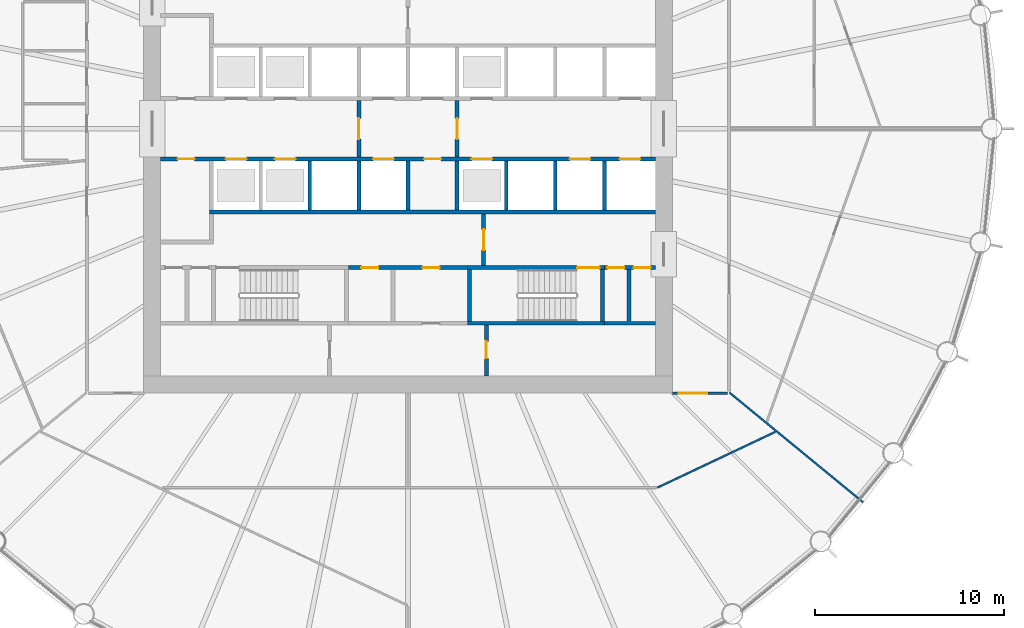
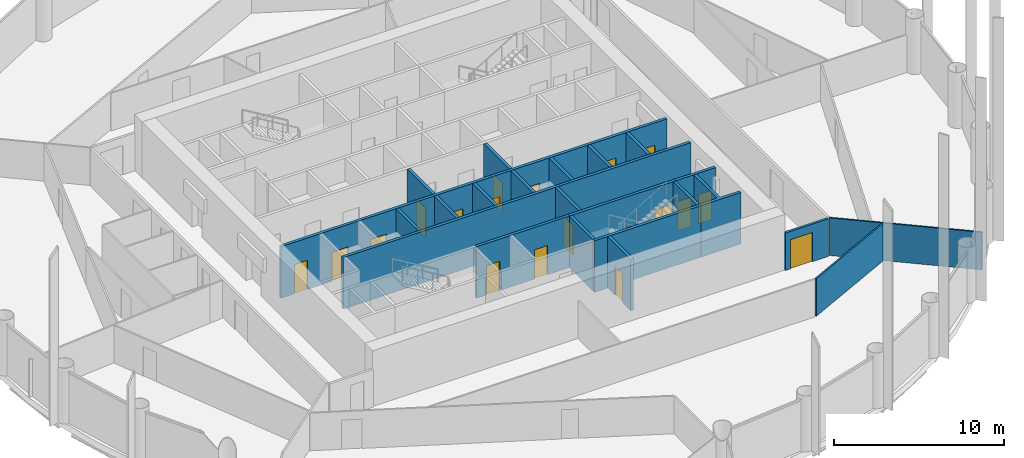
# One storey, part 5 of 10: 23 walls, 18 doors, 18 openings.
"""IFC4 building model written with IfcOpenShell, lengths in metres."""

from ifc_helpers import new_model, si_unit, direction, frame, frame_2d, origin, place, context, subcontext, project, spatial, polyline, rectangle, outline, extrude, material, layer, layer_set, type_object, element, fill, save


model = new_model("IFC4")

# Units and contexts
model_context = context("Model", 3, precision=1e-05, world=origin(), true_north=direction((0.0, 1.0)))
body_context = subcontext(model_context, "Body", "Model", "MODEL_VIEW")
ifc_project = project(units=[si_unit("LENGTHUNIT", "METRE"), si_unit("AREAUNIT", "SQUARE_METRE"), si_unit("VOLUMEUNIT", "CUBIC_METRE"), si_unit("PLANEANGLEUNIT", "RADIAN"), si_unit("MASSUNIT", "GRAM", prefix="KILO")], contexts=[model_context])

# Site, building, storey
site_placement = place(None, origin())
site = spatial("IfcSite", under=ifc_project, at=site_placement, CompositionType="ELEMENT")
building_placement = place(site_placement, origin())
building = spatial("IfcBuilding", under=site, at=building_placement, Name="Corvane Civic Tower", CompositionType="ELEMENT")
storey_placement = place(building_placement, frame((0.0, 0.0, 144.0)))
storey = spatial("IfcBuildingStorey", under=building, at=storey_placement, Name="L33", CompositionType="ELEMENT", Elevation=144.0)

# Wall, openings, doors
ifc_material_1 = material(Name="Concrete C30/37", Category="concrete")
ifc_layer_1 = layer(ifc_material_1, 0.199951171875)
ifc_layer_set_1 = layer_set([ifc_layer_1], Name="Concrete C30/37")
wall_type_1 = type_object("IfcWallType", Name="CR-WALL-200", PredefinedType="PARTITIONING", material=ifc_layer_set_1)
wall_1_placement = place(storey_placement, frame((-3.14990234375, -7.35009765625, 0.0), z_axis=(0.0, 0.0, 1.0), x_axis=(1.0, 0.0, 0.0)))
wall_1 = element("IfcWall", 1, at=wall_1_placement, inside=storey, type_object=wall_type_1, Name="L33 core partition wall", PredefinedType="PARTITIONING", context=body_context, shape_type="SweptSolid", body=[
    extrude(rectangle(XDim=6.2998046875, YDim=0.199951171875, at=frame_2d((3.14990234375, 0.0))), origin(), (0.0, 0.0, 1.0), 3.699951171875),
])
opening_1_placement = place(wall_1_placement, frame((0.675048828125, 0.0, 0.0)))
opening_1 = element("IfcOpeningElement", 2, at=opening_1_placement, cuts=wall_1, Name="Opening L33.C06", PredefinedType="OPENING", context=body_context, shape_type="SweptSolid", body=[
    extrude(rectangle(XDim=0.89990234375, YDim=2.10009765625, at=frame_2d((0.449951171875, 1.050048828125))), frame((0.0, 0.10986328125, 0.0), z_axis=(0.0, -1.0, 0.0), x_axis=(1.0, 0.0, 0.0)), (0.0, 0.0, 1.0), 0.219970703125),
])
opening_2_placement = place(wall_1_placement, frame((3.925048828125, 0.0, 0.0)))
opening_2 = element("IfcOpeningElement", 3, at=opening_2_placement, cuts=wall_1, Name="Opening L33.C07", PredefinedType="OPENING", context=body_context, shape_type="SweptSolid", body=[
    extrude(rectangle(XDim=0.89990234375, YDim=2.10009765625, at=frame_2d((0.449951171875, 1.050048828125))), frame((0.0, 0.10986328125, 0.0), z_axis=(0.0, -1.0, 0.0), x_axis=(1.0, 0.0, 0.0)), (0.0, 0.0, 1.0), 0.219970703125),
])
ifc_material_2 = material(Name="Steel fire door leaf", Category="steel")
door_type_1 = type_object("IfcDoorType", Name="CR-DOOR-900", OperationType="SINGLE_SWING_LEFT", PredefinedType="DOOR", material=ifc_material_2)
door_1_placement = place(opening_1_placement, origin())
door_1 = element("IfcDoor", 4, at=door_1_placement, inside=storey, type_object=door_type_1, Name="L33 door", OperationType="SINGLE_SWING_LEFT", OverallHeight=2.10009765625, OverallWidth=0.89990234375, PredefinedType="DOOR", context=body_context, shape_type="SweptSolid", body=[
    extrude(rectangle(XDim=0.89990234375, YDim=2.10009765625, at=frame_2d((0.449951171875, 1.050048828125))), frame((0.0, 0.02490234375, 0.0), z_axis=(0.0, -1.0, 0.0), x_axis=(1.0, 0.0, 0.0)), (0.0, 0.0, 1.0), 0.050048828125),
])
fill(opening_1, door_1)
door_2_placement = place(opening_2_placement, origin())
door_2 = element("IfcDoor", 5, at=door_2_placement, inside=storey, type_object=door_type_1, Name="L33 door", OperationType="SINGLE_SWING_LEFT", OverallHeight=2.10009765625, OverallWidth=0.89990234375, PredefinedType="DOOR", context=body_context, shape_type="SweptSolid", body=[
    extrude(rectangle(XDim=0.89990234375, YDim=2.10009765625, at=frame_2d((0.449951171875, 1.050048828125))), frame((0.0, 0.02490234375, 0.0), z_axis=(0.0, -1.0, 0.0), x_axis=(1.0, 0.0, 0.0)), (0.0, 0.0, 1.0), 0.050048828125),
])
fill(opening_2, door_2)

wall_2_placement = place(storey_placement, frame((10.39990234375, -7.35009765625, 0.0), z_axis=(0.0, 0.0, 1.0), x_axis=(1.0, 0.0, 0.0)))
wall_2 = element("IfcWall", 6, at=wall_2_placement, inside=storey, type_object=wall_type_1, Name="L33 core partition wall", PredefinedType="PARTITIONING", context=body_context, shape_type="SweptSolid", body=[
    extrude(rectangle(XDim=2.7001953125, YDim=0.199951171875, at=frame_2d((1.35009765625, 0.0))), origin(), (0.0, 0.0, 1.0), 3.699951171875),
])
opening_3_placement = place(wall_2_placement, frame((0.14990234375, 0.0, 0.0)))
opening_3 = element("IfcOpeningElement", 7, at=opening_3_placement, cuts=wall_2, Name="Opening L33.C20", PredefinedType="OPENING", context=body_context, shape_type="SweptSolid", body=[
    extrude(rectangle(XDim=0.89990234375, YDim=2.10009765625, at=frame_2d((0.449951171875, 1.050048828125))), frame((0.0, 0.10986328125, 0.0), z_axis=(0.0, -1.0, 0.0), x_axis=(1.0, 0.0, 0.0)), (0.0, 0.0, 1.0), 0.219970703125),
])
opening_4_placement = place(wall_2_placement, frame((1.550048828125, 0.0, 0.0)))
opening_4 = element("IfcOpeningElement", 8, at=opening_4_placement, cuts=wall_2, Name="Opening L33.C21", PredefinedType="OPENING", context=body_context, shape_type="SweptSolid", body=[
    extrude(rectangle(XDim=0.89990234375, YDim=2.10009765625, at=frame_2d((0.449951171875, 1.050048828125))), frame((0.0, 0.10986328125, 0.0), z_axis=(0.0, -1.0, 0.0), x_axis=(1.0, 0.0, 0.0)), (0.0, 0.0, 1.0), 0.219970703125),
])
door_3_placement = place(opening_3_placement, origin())
door_3 = element("IfcDoor", 9, at=door_3_placement, inside=storey, type_object=door_type_1, Name="L33 door", OperationType="SINGLE_SWING_LEFT", OverallHeight=2.10009765625, OverallWidth=0.89990234375, PredefinedType="DOOR", context=body_context, shape_type="SweptSolid", body=[
    extrude(rectangle(XDim=0.89990234375, YDim=2.10009765625, at=frame_2d((0.449951171875, 1.050048828125))), frame((0.0, 0.02490234375, 0.0), z_axis=(0.0, -1.0, 0.0), x_axis=(1.0, 0.0, 0.0)), (0.0, 0.0, 1.0), 0.050048828125),
])
fill(opening_3, door_3)
door_4_placement = place(opening_4_placement, origin())
door_4 = element("IfcDoor", 10, at=door_4_placement, inside=storey, type_object=door_type_1, Name="L33 door", OperationType="SINGLE_SWING_LEFT", OverallHeight=2.10009765625, OverallWidth=0.89990234375, PredefinedType="DOOR", context=body_context, shape_type="SweptSolid", body=[
    extrude(rectangle(XDim=0.89990234375, YDim=2.10009765625, at=frame_2d((0.449951171875, 1.050048828125))), frame((0.0, 0.02490234375, 0.0), z_axis=(0.0, -1.0, 0.0), x_axis=(1.0, 0.0, 0.0)), (0.0, 0.0, 1.0), 0.050048828125),
])
fill(opening_4, door_4)

wall_3_placement = place(storey_placement, frame((-13.10009765625, -1.60009765625, 0.0), z_axis=(0.0, 0.0, 1.0), x_axis=(1.0, 0.0, 0.0)))
wall_3 = element("IfcWall", 11, at=wall_3_placement, inside=storey, type_object=wall_type_1, Name="L33 lift shaft wall", PredefinedType="PARTITIONING", context=body_context, shape_type="SweptSolid", body=[
    extrude(rectangle(XDim=26.2001953125, YDim=0.199951171875, at=frame_2d((13.10009765625, 0.0))), origin(), (0.0, 0.0, 1.0), 3.699951171875),
])
opening_5_placement = place(wall_3_placement, frame((3.449951171875, 0.0, 0.0)))
opening_5 = element("IfcOpeningElement", 12, at=opening_5_placement, cuts=wall_3, Name="Opening LD", PredefinedType="OPENING", context=body_context, shape_type="SweptSolid", body=[
    extrude(rectangle(XDim=1.10009765625, YDim=2.10009765625, at=frame_2d((0.550048828125, 1.050048828125))), frame((0.0, 0.10986328125, 0.0), z_axis=(0.0, -1.0, 0.0), x_axis=(1.0, 0.0, 0.0)), (0.0, 0.0, 1.0), 0.219970703125),
])
opening_6_placement = place(wall_3_placement, frame((6.050048828125, 0.0, 0.0)))
opening_6 = element("IfcOpeningElement", 13, at=opening_6_placement, cuts=wall_3, Name="Opening LD", PredefinedType="OPENING", context=body_context, shape_type="SweptSolid", body=[
    extrude(rectangle(XDim=1.10009765625, YDim=2.10009765625, at=frame_2d((0.550048828125, 1.050048828125))), frame((0.0, 0.10986328125, 0.0), z_axis=(0.0, -1.0, 0.0), x_axis=(1.0, 0.0, 0.0)), (0.0, 0.0, 1.0), 0.219970703125),
])
opening_7_placement = place(wall_3_placement, frame((11.25, 0.0, 0.0)))
opening_7 = element("IfcOpeningElement", 14, at=opening_7_placement, cuts=wall_3, Name="Opening LD", PredefinedType="OPENING", context=body_context, shape_type="SweptSolid", body=[
    extrude(rectangle(XDim=1.10009765625, YDim=2.10009765625, at=frame_2d((0.550048828125, 1.050048828125))), frame((0.0, 0.10986328125, 0.0), z_axis=(0.0, -1.0, 0.0), x_axis=(1.0, 0.0, 0.0)), (0.0, 0.0, 1.0), 0.219970703125),
])
opening_8_placement = place(wall_3_placement, frame((13.949951171875, 0.0, 0.0)))
opening_8 = element("IfcOpeningElement", 15, at=opening_8_placement, cuts=wall_3, Name="Opening L33.C02", PredefinedType="OPENING", context=body_context, shape_type="SweptSolid", body=[
    extrude(rectangle(XDim=0.89990234375, YDim=2.10009765625, at=frame_2d((0.449951171875, 1.050048828125))), frame((0.0, 0.10986328125, 0.0), z_axis=(0.0, -1.0, 0.0), x_axis=(1.0, 0.0, 0.0)), (0.0, 0.0, 1.0), 0.219970703125),
])
opening_9_placement = place(wall_3_placement, frame((16.449951171875, 0.0, 0.0)))
opening_9 = element("IfcOpeningElement", 16, at=opening_9_placement, cuts=wall_3, Name="Opening LD", PredefinedType="OPENING", context=body_context, shape_type="SweptSolid", body=[
    extrude(rectangle(XDim=1.10009765625, YDim=2.10009765625, at=frame_2d((0.550048828125, 1.050048828125))), frame((0.0, 0.10986328125, 0.0), z_axis=(0.0, -1.0, 0.0), x_axis=(1.0, 0.0, 0.0)), (0.0, 0.0, 1.0), 0.219970703125),
])
opening_10_placement = place(wall_3_placement, frame((21.64990234375, 0.0, 0.0)))
opening_10 = element("IfcOpeningElement", 17, at=opening_10_placement, cuts=wall_3, Name="Opening LD", PredefinedType="OPENING", context=body_context, shape_type="SweptSolid", body=[
    extrude(rectangle(XDim=1.10009765625, YDim=2.10009765625, at=frame_2d((0.550048828125, 1.050048828125))), frame((0.0, 0.10986328125, 0.0), z_axis=(0.0, -1.0, 0.0), x_axis=(1.0, 0.0, 0.0)), (0.0, 0.0, 1.0), 0.219970703125),
])
opening_11_placement = place(wall_3_placement, frame((24.300048828125, 0.0, 0.0)))
opening_11 = element("IfcOpeningElement", 18, at=opening_11_placement, cuts=wall_3, Name="Opening LD", PredefinedType="OPENING", context=body_context, shape_type="SweptSolid", body=[
    extrude(rectangle(XDim=1.10009765625, YDim=2.10009765625, at=frame_2d((0.550048828125, 1.050048828125))), frame((0.0, 0.10986328125, 0.0), z_axis=(0.0, -1.0, 0.0), x_axis=(1.0, 0.0, 0.0)), (0.0, 0.0, 1.0), 0.219970703125),
])
opening_12_placement = place(wall_3_placement, frame((0.89990234375, 0.0, 0.0)))
opening_12 = element("IfcOpeningElement", 19, at=opening_12_placement, cuts=wall_3, Name="Opening L33.C03", PredefinedType="OPENING", context=body_context, shape_type="SweptSolid", body=[
    extrude(rectangle(XDim=0.89990234375, YDim=2.10009765625, at=frame_2d((0.449951171875, 1.050048828125))), frame((0.0, 0.10986328125, 0.0), z_axis=(0.0, -1.0, 0.0), x_axis=(1.0, 0.0, 0.0)), (0.0, 0.0, 1.0), 0.219970703125),
])
door_5_placement = place(opening_8_placement, origin())
door_5 = element("IfcDoor", 20, at=door_5_placement, inside=storey, type_object=door_type_1, Name="L33 door", OperationType="SINGLE_SWING_LEFT", OverallHeight=2.10009765625, OverallWidth=0.89990234375, PredefinedType="DOOR", context=body_context, shape_type="SweptSolid", body=[
    extrude(rectangle(XDim=0.89990234375, YDim=2.10009765625, at=frame_2d((0.449951171875, 1.050048828125))), frame((0.0, 0.02490234375, 0.0), z_axis=(0.0, -1.0, 0.0), x_axis=(1.0, 0.0, 0.0)), (0.0, 0.0, 1.0), 0.050048828125),
])
fill(opening_8, door_5)
door_6_placement = place(opening_12_placement, origin())
door_6 = element("IfcDoor", 21, at=door_6_placement, inside=storey, type_object=door_type_1, Name="L33 door", OperationType="SINGLE_SWING_LEFT", OverallHeight=2.10009765625, OverallWidth=0.89990234375, PredefinedType="DOOR", context=body_context, shape_type="SweptSolid", body=[
    extrude(rectangle(XDim=0.89990234375, YDim=2.10009765625, at=frame_2d((0.449951171875, 1.050048828125))), frame((0.0, 0.02490234375, 0.0), z_axis=(0.0, -1.0, 0.0), x_axis=(1.0, 0.0, 0.0)), (0.0, 0.0, 1.0), 0.050048828125),
])
fill(opening_12, door_6)
ifc_material_3 = material(Name="Stainless steel 316 door leaves", Category="steel")
door_type_2 = type_object("IfcDoorType", Name="LD", OperationType="DOUBLE_DOOR_SLIDING", PredefinedType="DOOR", material=ifc_material_3)
door_7_placement = place(opening_5_placement, origin())
door_7 = element("IfcDoor", 22, at=door_7_placement, inside=storey, type_object=door_type_2, Name="L33 landing door", OperationType="DOUBLE_DOOR_SLIDING", OverallHeight=2.10009765625, OverallWidth=1.10009765625, PredefinedType="DOOR", context=body_context, shape_type="SweptSolid", body=[
    extrude(rectangle(XDim=1.10009765625, YDim=2.10009765625, at=frame_2d((0.550048828125, 1.050048828125))), frame((0.0, 0.02490234375, 0.0), z_axis=(0.0, -1.0, 0.0), x_axis=(1.0, 0.0, 0.0)), (0.0, 0.0, 1.0), 0.050048828125),
])
fill(opening_5, door_7)
door_8_placement = place(opening_6_placement, origin())
door_8 = element("IfcDoor", 23, at=door_8_placement, inside=storey, type_object=door_type_2, Name="L33 landing door", OperationType="DOUBLE_DOOR_SLIDING", OverallHeight=2.10009765625, OverallWidth=1.10009765625, PredefinedType="DOOR", context=body_context, shape_type="SweptSolid", body=[
    extrude(rectangle(XDim=1.10009765625, YDim=2.10009765625, at=frame_2d((0.550048828125, 1.050048828125))), frame((0.0, 0.02490234375, 0.0), z_axis=(0.0, -1.0, 0.0), x_axis=(1.0, 0.0, 0.0)), (0.0, 0.0, 1.0), 0.050048828125),
])
fill(opening_6, door_8)
door_9_placement = place(opening_7_placement, origin())
door_9 = element("IfcDoor", 24, at=door_9_placement, inside=storey, type_object=door_type_2, Name="L33 landing door", OperationType="DOUBLE_DOOR_SLIDING", OverallHeight=2.10009765625, OverallWidth=1.10009765625, PredefinedType="DOOR", context=body_context, shape_type="SweptSolid", body=[
    extrude(rectangle(XDim=1.10009765625, YDim=2.10009765625, at=frame_2d((0.550048828125, 1.050048828125))), frame((0.0, 0.02490234375, 0.0), z_axis=(0.0, -1.0, 0.0), x_axis=(1.0, 0.0, 0.0)), (0.0, 0.0, 1.0), 0.050048828125),
])
fill(opening_7, door_9)
door_10_placement = place(opening_9_placement, origin())
door_10 = element("IfcDoor", 25, at=door_10_placement, inside=storey, type_object=door_type_2, Name="L33 landing door", OperationType="DOUBLE_DOOR_SLIDING", OverallHeight=2.10009765625, OverallWidth=1.10009765625, PredefinedType="DOOR", context=body_context, shape_type="SweptSolid", body=[
    extrude(rectangle(XDim=1.10009765625, YDim=2.10009765625, at=frame_2d((0.550048828125, 1.050048828125))), frame((0.0, 0.02490234375, 0.0), z_axis=(0.0, -1.0, 0.0), x_axis=(1.0, 0.0, 0.0)), (0.0, 0.0, 1.0), 0.050048828125),
])
fill(opening_9, door_10)
door_11_placement = place(opening_10_placement, origin())
door_11 = element("IfcDoor", 26, at=door_11_placement, inside=storey, type_object=door_type_2, Name="L33 landing door", OperationType="DOUBLE_DOOR_SLIDING", OverallHeight=2.10009765625, OverallWidth=1.10009765625, PredefinedType="DOOR", context=body_context, shape_type="SweptSolid", body=[
    extrude(rectangle(XDim=1.10009765625, YDim=2.10009765625, at=frame_2d((0.550048828125, 1.050048828125))), frame((0.0, 0.02490234375, 0.0), z_axis=(0.0, -1.0, 0.0), x_axis=(1.0, 0.0, 0.0)), (0.0, 0.0, 1.0), 0.050048828125),
])
fill(opening_10, door_11)
door_12_placement = place(opening_11_placement, origin())
door_12 = element("IfcDoor", 27, at=door_12_placement, inside=storey, type_object=door_type_2, Name="L33 landing door", OperationType="DOUBLE_DOOR_SLIDING", OverallHeight=2.10009765625, OverallWidth=1.10009765625, PredefinedType="DOOR", context=body_context, shape_type="SweptSolid", body=[
    extrude(rectangle(XDim=1.10009765625, YDim=2.10009765625, at=frame_2d((0.550048828125, 1.050048828125))), frame((0.0, 0.02490234375, 0.0), z_axis=(0.0, -1.0, 0.0), x_axis=(1.0, 0.0, 0.0)), (0.0, 0.0, 1.0), 0.050048828125),
])
fill(opening_11, door_12)

# Wall, opening, door
wall_4_placement = place(storey_placement, frame((-2.60009765625, -1.5, 0.0), z_axis=(0.0, 0.0, 1.0), x_axis=(0.0, 1.0, 0.0)))
wall_4 = element("IfcWall", 28, at=wall_4_placement, inside=storey, type_object=wall_type_1, Name="L33 firefighting lobby wall", PredefinedType="PARTITIONING", context=body_context, shape_type="SweptSolid", body=[
    extrude(rectangle(XDim=3.0, YDim=0.199951171875, at=frame_2d((1.5, 0.0))), origin(), (0.0, 0.0, 1.0), 3.699951171875),
])
opening_13_placement = place(wall_4_placement, frame((0.949951171875, 0.0, 0.0)))
opening_13 = element("IfcOpeningElement", 29, at=opening_13_placement, cuts=wall_4, Name="Opening L33.C26", PredefinedType="OPENING", context=body_context, shape_type="SweptSolid", body=[
    extrude(rectangle(XDim=1.10009765625, YDim=2.10009765625, at=frame_2d((0.550048828125, 1.050048828125))), frame((0.0, 0.10986328125, 0.0), z_axis=(0.0, -1.0, 0.0), x_axis=(1.0, 0.0, 0.0)), (0.0, 0.0, 1.0), 0.219970703125),
])
ifc_material_4 = material(Name="Steel fire door leaf", Category="steel")
door_type_3 = type_object("IfcDoorType", Name="CR-DOOR-FFL-1100", OperationType="SINGLE_SWING_LEFT", PredefinedType="DOOR", material=ifc_material_4)
door_13_placement = place(opening_13_placement, origin())
door_13 = element("IfcDoor", 30, at=door_13_placement, inside=storey, type_object=door_type_3, Name="L33 lobby door", OperationType="SINGLE_SWING_LEFT", OverallHeight=2.10009765625, OverallWidth=1.10009765625, PredefinedType="DOOR", context=body_context, shape_type="SweptSolid", body=[
    extrude(rectangle(XDim=1.10009765625, YDim=2.10009765625, at=frame_2d((0.550048828125, 1.050048828125))), frame((0.0, 0.02490234375, 0.0), z_axis=(0.0, -1.0, 0.0), x_axis=(1.0, 0.0, 0.0)), (0.0, 0.0, 1.0), 0.050048828125),
])
fill(opening_13, door_13)

wall_5_placement = place(storey_placement, frame((2.60009765625, -1.5, 0.0), z_axis=(0.0, 0.0, 1.0), x_axis=(0.0, 1.0, 0.0)))
wall_5 = element("IfcWall", 31, at=wall_5_placement, inside=storey, type_object=wall_type_1, Name="L33 firefighting lobby wall", PredefinedType="PARTITIONING", context=body_context, shape_type="SweptSolid", body=[
    extrude(rectangle(XDim=3.0, YDim=0.199951171875, at=frame_2d((1.5, 0.0))), origin(), (0.0, 0.0, 1.0), 3.699951171875),
])
opening_14_placement = place(wall_5_placement, frame((0.949951171875, 0.0, 0.0)))
opening_14 = element("IfcOpeningElement", 32, at=opening_14_placement, cuts=wall_5, Name="Opening L33.C27", PredefinedType="OPENING", context=body_context, shape_type="SweptSolid", body=[
    extrude(rectangle(XDim=1.10009765625, YDim=2.10009765625, at=frame_2d((0.550048828125, 1.050048828125))), frame((0.0, 0.10986328125, 0.0), z_axis=(0.0, -1.0, 0.0), x_axis=(1.0, 0.0, 0.0)), (0.0, 0.0, 1.0), 0.219970703125),
])
door_14_placement = place(opening_14_placement, origin())
door_14 = element("IfcDoor", 33, at=door_14_placement, inside=storey, type_object=door_type_3, Name="L33 lobby door", OperationType="SINGLE_SWING_LEFT", OverallHeight=2.10009765625, OverallWidth=1.10009765625, PredefinedType="DOOR", context=body_context, shape_type="SweptSolid", body=[
    extrude(rectangle(XDim=1.10009765625, YDim=2.10009765625, at=frame_2d((0.550048828125, 1.050048828125))), frame((0.0, 0.02490234375, 0.0), z_axis=(0.0, -1.0, 0.0), x_axis=(1.0, 0.0, 0.0)), (0.0, 0.0, 1.0), 0.050048828125),
])
fill(opening_14, door_14)

wall_6_placement = place(storey_placement, frame((4.0, -7.25, 0.0), z_axis=(0.0, 0.0, 1.0), x_axis=(0.0, 1.0, 0.0)))
wall_6 = element("IfcWall", 34, at=wall_6_placement, inside=storey, type_object=wall_type_1, Name="L33 core partition wall", PredefinedType="PARTITIONING", context=body_context, shape_type="SweptSolid", body=[
    extrude(rectangle(XDim=2.75, YDim=0.199951171875, at=frame_2d((1.375, 0.0))), origin(), (0.0, 0.0, 1.0), 3.699951171875),
])
opening_15_placement = place(wall_6_placement, frame((0.824951171875, 0.0, 0.0)))
opening_15 = element("IfcOpeningElement", 35, at=opening_15_placement, cuts=wall_6, Name="Opening L33.C29", PredefinedType="OPENING", context=body_context, shape_type="SweptSolid", body=[
    extrude(rectangle(XDim=1.10009765625, YDim=2.10009765625, at=frame_2d((0.550048828125, 1.050048828125))), frame((0.0, 0.10986328125, 0.0), z_axis=(0.0, -1.0, 0.0), x_axis=(1.0, 0.0, 0.0)), (0.0, 0.0, 1.0), 0.219970703125),
])
door_15_placement = place(opening_15_placement, origin())
door_15 = element("IfcDoor", 36, at=door_15_placement, inside=storey, type_object=door_type_3, Name="L33 lobby door", OperationType="SINGLE_SWING_LEFT", OverallHeight=2.10009765625, OverallWidth=1.10009765625, PredefinedType="DOOR", context=body_context, shape_type="SweptSolid", body=[
    extrude(rectangle(XDim=1.10009765625, YDim=2.10009765625, at=frame_2d((0.550048828125, 1.050048828125))), frame((0.0, 0.02490234375, 0.0), z_axis=(0.0, -1.0, 0.0), x_axis=(1.0, 0.0, 0.0)), (0.0, 0.0, 1.0), 0.050048828125),
])
fill(opening_15, door_15)

wall_7_placement = place(storey_placement, frame((4.14990234375, -13.10009765625, 0.0), z_axis=(0.0, 0.0, 1.0), x_axis=(0.0, 1.0, 0.0)))
wall_7 = element("IfcWall", 37, at=wall_7_placement, inside=storey, type_object=wall_type_1, Name="L33 partition wall", PredefinedType="PARTITIONING", context=body_context, shape_type="SweptSolid", body=[
    extrude(rectangle(XDim=2.7001953125, YDim=0.199951171875, at=frame_2d((1.35009765625, 0.0))), origin(), (0.0, 0.0, 1.0), 3.699951171875),
])
opening_16_placement = place(wall_7_placement, frame((0.949951171875, 0.0, 0.0)))
opening_16 = element("IfcOpeningElement", 38, at=opening_16_placement, cuts=wall_7, Name="Opening L33.C13", PredefinedType="OPENING", context=body_context, shape_type="SweptSolid", body=[
    extrude(rectangle(XDim=0.89990234375, YDim=2.10009765625, at=frame_2d((0.449951171875, 1.050048828125))), frame((0.0, 0.10986328125, 0.0), z_axis=(0.0, -1.0, 0.0), x_axis=(1.0, 0.0, 0.0)), (0.0, 0.0, 1.0), 0.219970703125),
])
door_16_placement = place(opening_16_placement, origin())
door_16 = element("IfcDoor", 39, at=door_16_placement, inside=storey, type_object=door_type_1, Name="L33 door", OperationType="SINGLE_SWING_LEFT", OverallHeight=2.10009765625, OverallWidth=0.89990234375, PredefinedType="DOOR", context=body_context, shape_type="SweptSolid", body=[
    extrude(rectangle(XDim=0.89990234375, YDim=2.10009765625, at=frame_2d((0.449951171875, 1.050048828125))), frame((0.0, 0.02490234375, 0.0), z_axis=(0.0, -1.0, 0.0), x_axis=(1.0, 0.0, 0.0)), (0.0, 0.0, 1.0), 0.050048828125),
])
fill(opening_16, door_16)

# Walls
wall_8_placement = place(storey_placement, origin())
element("IfcWall", 40, at=wall_8_placement, inside=storey, type_object=wall_type_1, Name="L33 core partition wall", PredefinedType="PARTITIONING", context=body_context, shape_type="SweptSolid", body=[
    extrude(outline(polyline([(13.10009765625, -4.300048828125), (13.10009765625, -4.5), (-10.5, -4.5), (-10.5, -4.300048828125), (13.10009765625, -4.300048828125)])), origin(), (0.0, 0.0, 1.0), 3.699951171875),
])
wall_9_placement = place(storey_placement, origin())
element("IfcWall", 41, at=wall_9_placement, inside=storey, type_object=wall_type_1, Name="L33 core partition wall", PredefinedType="PARTITIONING", context=body_context, shape_type="SweptSolid", body=[
    extrude(outline(polyline([(-2.5, -1.699951171875), (-2.5, -4.2998046875), (-2.699951171875, -4.2998046875), (-2.699951171875, -1.699951171875), (-2.5, -1.699951171875)])), origin(), (0.0, 0.0, 1.0), 3.699951171875),
])
wall_10_placement = place(storey_placement, origin())
element("IfcWall", 42, at=wall_10_placement, inside=storey, type_object=wall_type_1, Name="L33 core partition wall", PredefinedType="PARTITIONING", context=body_context, shape_type="SweptSolid", body=[
    extrude(outline(polyline([(2.699951171875, -1.699951171875), (2.699951171875, -4.2998046875), (2.5, -4.2998046875), (2.5, -1.699951171875), (2.699951171875, -1.699951171875)])), origin(), (0.0, 0.0, 1.0), 3.699951171875),
])
wall_11_placement = place(storey_placement, origin())
element("IfcWall", 43, at=wall_11_placement, inside=storey, type_object=wall_type_1, Name="L33 core partition wall", PredefinedType="PARTITIONING", context=body_context, shape_type="SweptSolid", body=[
    extrude(outline(polyline([(0.10009765625, -1.699951171875), (0.10009765625, -4.2998046875), (-0.10009765625, -4.2998046875), (-0.10009765625, -1.699951171875), (0.10009765625, -1.699951171875)])), origin(), (0.0, 0.0, 1.0), 3.699951171875),
])
wall_12_placement = place(storey_placement, origin())
element("IfcWall", 44, at=wall_12_placement, inside=storey, type_object=wall_type_1, Name="L33 core partition wall", PredefinedType="PARTITIONING", context=body_context, shape_type="SweptSolid", body=[
    extrude(outline(polyline([(-5.10009765625, -1.699951171875), (-5.10009765625, -4.2998046875), (-5.300048828125, -4.2998046875), (-5.300048828125, -1.699951171875), (-5.10009765625, -1.699951171875)])), origin(), (0.0, 0.0, 1.0), 3.699951171875),
])
wall_13_placement = place(storey_placement, origin())
element("IfcWall", 45, at=wall_13_placement, inside=storey, type_object=wall_type_1, Name="L33 core partition wall", PredefinedType="PARTITIONING", context=body_context, shape_type="SweptSolid", body=[
    extrude(outline(polyline([(5.300048828125, -1.699951171875), (5.300048828125, -4.2998046875), (5.10009765625, -4.2998046875), (5.10009765625, -1.699951171875), (5.300048828125, -1.699951171875)])), origin(), (0.0, 0.0, 1.0), 3.699951171875),
])
wall_14_placement = place(storey_placement, origin())
element("IfcWall", 46, at=wall_14_placement, inside=storey, type_object=wall_type_1, Name="L33 core partition wall", PredefinedType="PARTITIONING", context=body_context, shape_type="SweptSolid", body=[
    extrude(outline(polyline([(7.89990234375, -1.699951171875), (7.89990234375, -4.2998046875), (7.699951171875, -4.2998046875), (7.699951171875, -1.699951171875), (7.89990234375, -1.699951171875)])), origin(), (0.0, 0.0, 1.0), 3.699951171875),
])
wall_15_placement = place(storey_placement, origin())
element("IfcWall", 47, at=wall_15_placement, inside=storey, type_object=wall_type_1, Name="L33 core partition wall", PredefinedType="PARTITIONING", context=body_context, shape_type="SweptSolid", body=[
    extrude(outline(polyline([(10.5, -1.699951171875), (10.5, -4.2998046875), (10.300048828125, -4.2998046875), (10.300048828125, -1.699951171875), (10.5, -1.699951171875)])), origin(), (0.0, 0.0, 1.0), 3.699951171875),
])
wall_16_placement = place(storey_placement, origin())
element("IfcWall", 48, at=wall_16_placement, inside=storey, type_object=wall_type_1, Name="L33 core partition wall", PredefinedType="PARTITIONING", context=body_context, shape_type="SweptSolid", body=[
    extrude(outline(polyline([(11.800048828125, -7.449951171875), (11.800048828125, -10.199951171875), (13.10009765625, -10.199951171875), (13.10009765625, -10.39990234375), (10.39990234375, -10.39990234375), (10.39990234375, -10.199951171875), (11.60009765625, -10.199951171875), (11.60009765625, -7.449951171875), (11.800048828125, -7.449951171875)])), origin(), (0.0, 0.0, 1.0), 3.699951171875),
])
ifc_material_5 = material(Name="Plasterboard")
ifc_layer_2 = layer(ifc_material_5, 0.10009765625)
ifc_layer_set_2 = layer_set([ifc_layer_2], Name="Plasterboard")
wall_type_2 = type_object("IfcWallType", Name="Partition 100 plasterboard on studs", PredefinedType="PARTITIONING", material=ifc_layer_set_2)
wall_17_placement = place(storey_placement, frame((17.018310546875, -13.966552734375, 0.0), z_axis=(0.0, 0.0, 1.0), x_axis=(0.773006154143, -0.634398522742, 0.0)))
element("IfcWall", 49, at=wall_17_placement, inside=storey, type_object=wall_type_2, Name="Partition L33.004", PredefinedType="PARTITIONING", context=body_context, shape_type="SweptSolid", body=[
    extrude(rectangle(XDim=9.134521484375, YDim=0.10009765625, at=frame_2d((4.5673828125, 0.0))), origin(), (0.0, 0.0, 1.0), 2.699951171875),
])
wall_18_placement = place(storey_placement, frame((13.2099609375, -18.9951171875, 0.0), z_axis=(0.0, 0.0, 1.0), x_axis=(0.904001596525, 0.427529079105, 0.0)))
element("IfcWall", 50, at=wall_18_placement, inside=storey, type_object=wall_type_2, Name="Partition L33.006", PredefinedType="PARTITIONING", context=body_context, shape_type="SweptSolid", body=[
    extrude(rectangle(XDim=6.893798828125, YDim=0.10009765625, at=frame_2d((3.44677734375, 0.0))), origin(), (0.0, 0.0, 1.0), 2.699951171875),
])

# Wall, opening, door
ifc_material_6 = material(Name="Concrete C50/60", Category="concrete")
ifc_layer_3 = layer(ifc_material_6, 0.199951171875)
ifc_layer_set_3 = layer_set([ifc_layer_3], Name="Concrete C50/60")
wall_type_3 = type_object("IfcWallType", Name="ST-WALL-200", PredefinedType="SHEAR", material=ifc_layer_set_3)
wall_19_placement = place(storey_placement, frame((3.14990234375, -7.35009765625, 0.0), z_axis=(0.0, 0.0, 1.0), x_axis=(1.0, 0.0, 0.0)))
wall_19 = element("IfcWall", 51, at=wall_19_placement, inside=storey, type_object=wall_type_3, Name="L33 stair enclosure wall", PredefinedType="SHEAR", context=body_context, shape_type="SweptSolid", body=[
    extrude(rectangle(XDim=7.25, YDim=0.199951171875, at=frame_2d((3.625, 0.0))), origin(), (0.0, 0.0, 1.0), 3.699951171875),
])
opening_17_placement = place(wall_19_placement, frame((5.800048828125, 0.0, 0.0)))
opening_17 = element("IfcOpeningElement", 52, at=opening_17_placement, cuts=wall_19, Name="Opening L33.C24", PredefinedType="OPENING", context=body_context, shape_type="SweptSolid", body=[
    extrude(rectangle(XDim=1.199951171875, YDim=2.10009765625, at=frame_2d((0.60009765625, 1.050048828125))), frame((0.0, 0.10986328125, 0.0), z_axis=(0.0, -1.0, 0.0), x_axis=(1.0, 0.0, 0.0)), (0.0, 0.0, 1.0), 0.219970703125),
])
ifc_material_7 = material(Name="Steel fire door leaf", Category="steel")
door_type_4 = type_object("IfcDoorType", Name="ST-DOOR-1200", OperationType="SINGLE_SWING_RIGHT", PredefinedType="DOOR", material=ifc_material_7)
door_17_placement = place(opening_17_placement, origin())
door_17 = element("IfcDoor", 53, at=door_17_placement, inside=storey, type_object=door_type_4, Name="L33 stair door", OperationType="SINGLE_SWING_RIGHT", OverallHeight=2.10009765625, OverallWidth=1.199951171875, PredefinedType="DOOR", context=body_context, shape_type="SweptSolid", body=[
    extrude(rectangle(XDim=1.199951171875, YDim=2.10009765625, at=frame_2d((0.60009765625, 1.050048828125))), frame((0.0, 0.02490234375, 0.0), z_axis=(0.0, -1.0, 0.0), x_axis=(1.0, 0.0, 0.0)), (0.0, 0.0, 1.0), 0.050048828125),
])
fill(opening_17, door_17)

# Walls
wall_20_placement = place(storey_placement, origin())
element("IfcWall", 54, at=wall_20_placement, inside=storey, type_object=wall_type_3, Name="L33 stair enclosure wall", PredefinedType="SHEAR", context=body_context, shape_type="SweptSolid", body=[
    extrude(outline(polyline([(10.39990234375, -10.39990234375), (3.14990234375, -10.39990234375), (3.14990234375, -10.199951171875), (10.39990234375, -10.199951171875), (10.39990234375, -10.39990234375)])), origin(), (0.0, 0.0, 1.0), 3.699951171875),
])
wall_21_placement = place(storey_placement, origin())
element("IfcWall", 55, at=wall_21_placement, inside=storey, type_object=wall_type_3, Name="L33 stair enclosure wall", PredefinedType="SHEAR", context=body_context, shape_type="SweptSolid", body=[
    extrude(outline(polyline([(3.35009765625, -7.449951171875), (3.35009765625, -10.199951171875), (3.14990234375, -10.199951171875), (3.14990234375, -7.449951171875), (3.35009765625, -7.449951171875)])), origin(), (0.0, 0.0, 1.0), 3.699951171875),
])
wall_22_placement = place(storey_placement, origin())
element("IfcWall", 56, at=wall_22_placement, inside=storey, type_object=wall_type_3, Name="L33 stair enclosure wall", PredefinedType="SHEAR", context=body_context, shape_type="SweptSolid", body=[
    extrude(outline(polyline([(10.39990234375, -7.449951171875), (10.39990234375, -10.199951171875), (10.199951171875, -10.199951171875), (10.199951171875, -7.449951171875), (10.39990234375, -7.449951171875)])), origin(), (0.0, 0.0, 1.0), 3.699951171875),
])

# Wall, opening, door
ifc_material_8 = material(Name="Plasterboard")
ifc_layer_4 = layer(ifc_material_8, 0.14990234375)
ifc_layer_set_4 = layer_set([ifc_layer_4], Name="Plasterboard")
wall_type_4 = type_object("IfcWallType", Name="Tenancy wall 150 EI 60", PredefinedType="PARTITIONING", material=ifc_layer_set_4)
wall_23_placement = place(storey_placement, frame((13.989990234375, -14.0, 0.0), z_axis=(0.0, 0.0, 1.0), x_axis=(1.0, 0.0, 0.0)))
wall_23 = element("IfcWall", 57, at=wall_23_placement, inside=storey, type_object=wall_type_4, Name="Partition L33.011", PredefinedType="PARTITIONING", context=body_context, shape_type="SweptSolid", body=[
    extrude(rectangle(XDim=2.93505859375, YDim=0.14990234375, at=frame_2d((1.467529296875, 0.0))), origin(), (0.0, 0.0, 1.0), 2.699951171875),
])
opening_18_placement = place(wall_23_placement, frame((0.351318359375, 0.0, 0.0)))
opening_18 = element("IfcOpeningElement", 58, at=opening_18_placement, cuts=wall_23, Name="Opening L33.009", PredefinedType="OPENING", context=body_context, shape_type="SweptSolid", body=[
    extrude(rectangle(XDim=1.5, YDim=2.10009765625, at=frame_2d((0.75, 1.050048828125))), frame((0.0, 0.0849609375, 0.0), z_axis=(0.0, -1.0, 0.0), x_axis=(1.0, 0.0, 0.0)), (0.0, 0.0, 1.0), 0.169921875),
])
ifc_material_9 = material(Name="Steel and timber", Category="steel")
door_type_5 = type_object("IfcDoorType", Name="Fire door FD60 double 1500", OperationType="NOTDEFINED", PredefinedType="DOOR", material=ifc_material_9)
door_18_placement = place(opening_18_placement, frame((1.5, 0.0, 0.0), z_axis=(0.0, 0.0, 1.0), x_axis=(-1.0, 0.0, 0.0)))
door_18 = element("IfcDoor", 59, at=door_18_placement, inside=storey, type_object=door_type_5, Name="Door L33.009", OperationType="DOUBLE_DOOR_SINGLE_SWING", OverallHeight=2.10009765625, OverallWidth=1.5, PredefinedType="DOOR", context=body_context, shape_type="SweptSolid", body=[
    extrude(rectangle(XDim=1.5, YDim=2.10009765625, at=frame_2d((0.75, 1.050048828125))), frame((0.0, 0.02490234375, 0.0), z_axis=(0.0, -1.0, 0.0), x_axis=(1.0, 0.0, 0.0)), (0.0, 0.0, 1.0), 0.050048828125),
])
fill(opening_18, door_18)

save(model, "model.ifc")
